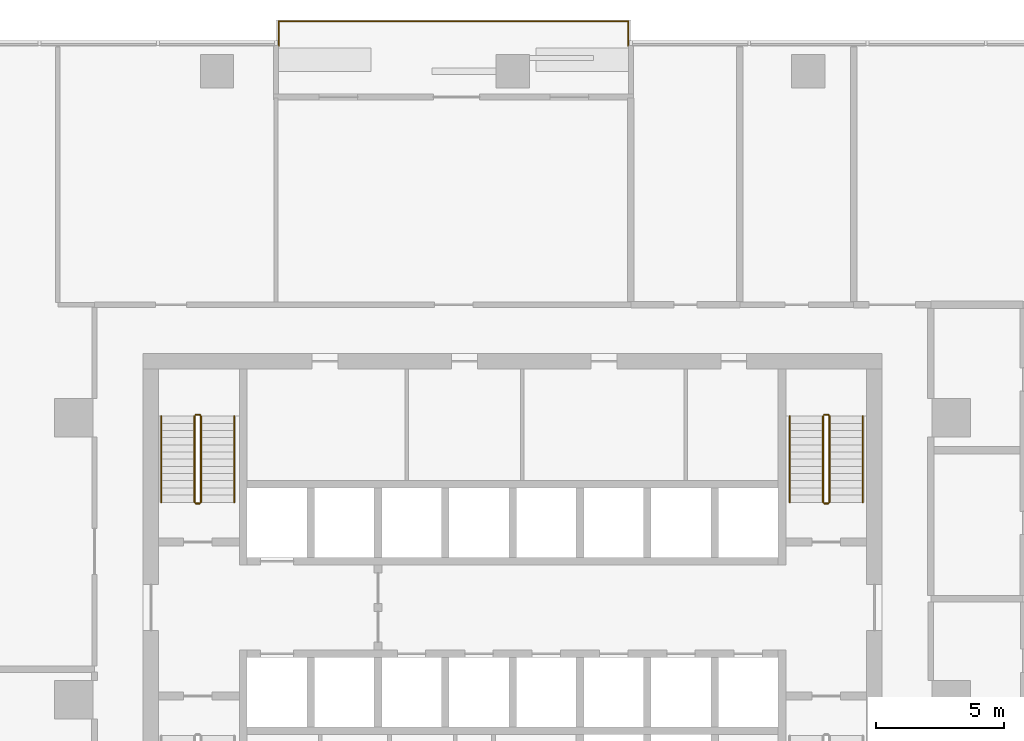
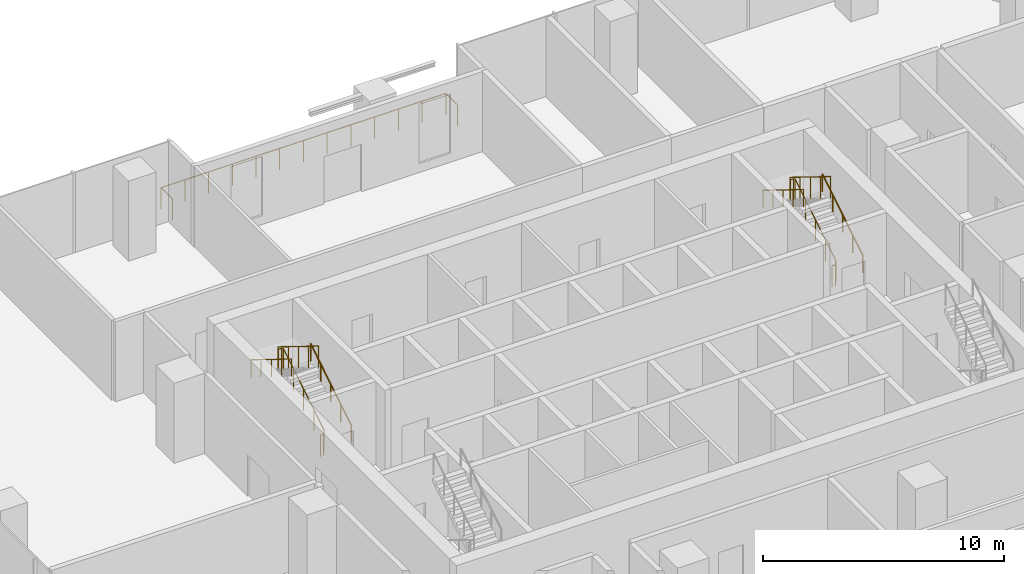
# One storey, part 14 of 14: 11 railings.
"""IFC4 building model written with IfcOpenShell, lengths in metres."""

from ifc_helpers import new_model, si_unit, direction, frame, origin, origin_2d, place, context, subcontext, project, spatial, circle, extrude, material, type_object, element, save


model = new_model("IFC4")

# Units and contexts
model_context = context("Model", 3, precision=1e-05, world=origin(), true_north=direction((0.0, 1.0)))
body_context = subcontext(model_context, "Body", "Model", "MODEL_VIEW")
ifc_project = project(units=[si_unit("LENGTHUNIT", "METRE"), si_unit("AREAUNIT", "SQUARE_METRE"), si_unit("VOLUMEUNIT", "CUBIC_METRE"), si_unit("PLANEANGLEUNIT", "RADIAN"), si_unit("MASSUNIT", "GRAM", prefix="KILO")], contexts=[model_context])

# Site, building, storey
site_placement = place(None, origin())
site = spatial("IfcSite", under=ifc_project, at=site_placement, CompositionType="ELEMENT")
building_placement = place(site_placement, origin())
building = spatial("IfcBuilding", under=site, at=building_placement, Name="Mopane Tessera Tower", CompositionType="ELEMENT")
storey_placement = place(building_placement, frame((0.0, 0.0, 130.60009765625)))
storey = spatial("IfcBuildingStorey", under=building, at=storey_placement, Name="L26", CompositionType="ELEMENT", Elevation=130.60009765625)

# Railings
ifc_material_1 = material(Name="Powder-coated steel balustrade", Category="steel")
railing_type_1 = type_object("IfcRailingType", Name="Escape stair guard 1100 mm", PredefinedType="GUARDRAIL", material=ifc_material_1)
railing_1_placement = place(storey_placement, frame((-12.14990234375, 7.699951171875, 0.173095703125)))
element("IfcRailing", 1, at=railing_1_placement, inside=storey, type_object=railing_type_1, Name="L26 ST2 stair guard 1", PredefinedType="GUARDRAIL", context=body_context, shape_type="SweptSolid", body=[
    extrude(circle(Radius=0.02392578125, at=origin_2d()), frame((0.0, 0.0, 1.076171875), z_axis=(0.0, 0.850623216509, 0.525775754039), x_axis=(-1.0, 0.0, 0.0)), (0.0, 0.0, 1.0), 3.9501953125),
    extrude(circle(Radius=0.02392578125, at=origin_2d()), frame((0.0, 3.360107421875, 3.15283203125), z_axis=(-0.707106781187, 0.707106781187, 0.0), x_axis=(-0.707106781187, -0.707106781187, 0.0)), (0.0, 0.0, 1.0), 0.07080078125),
    extrude(circle(Radius=0.02392578125, at=origin_2d()), frame((-0.050048828125, 3.41015625, 3.15283203125), z_axis=(-1.0, 0.0, 0.0), x_axis=(0.0, -1.0, 0.0)), (0.0, 0.0, 1.0), 0.150146484375),
    extrude(circle(Radius=0.02099609375, at=origin_2d()), origin(), (0.0, 0.0, 1.0), 1.052001953125),
    extrude(circle(Radius=0.02099609375, at=origin_2d()), frame((0.0, 0.840087890625, 0.519287109375)), (0.0, 0.0, 1.0), 1.052001953125),
    extrude(circle(Radius=0.02099609375, at=origin_2d()), frame((0.0, 1.68017578125, 1.03857421875)), (0.0, 0.0, 1.0), 1.052001953125),
    extrude(circle(Radius=0.02099609375, at=origin_2d()), frame((0.0, 2.52001953125, 1.5576171875)), (0.0, 0.0, 1.0), 1.052001953125),
    extrude(circle(Radius=0.02099609375, at=origin_2d()), frame((0.0, 3.360107421875, 2.076904296875)), (0.0, 0.0, 1.0), 1.052001953125),
    extrude(circle(Radius=0.02099609375, at=origin_2d()), frame((-0.050048828125, 3.41015625, 2.076904296875)), (0.0, 0.0, 1.0), 1.052001953125),
    extrude(circle(Radius=0.02099609375, at=origin_2d()), frame((-0.2001953125, 3.41015625, 2.076904296875)), (0.0, 0.0, 1.0), 1.052001953125),
])
railing_2_placement = place(storey_placement, frame((-12.39990234375, 11.06005859375, 2.423095703125)))
element("IfcRailing", 2, at=railing_2_placement, inside=storey, type_object=railing_type_1, Name="L26 ST2 stair guard 2", PredefinedType="GUARDRAIL", context=body_context, shape_type="SweptSolid", body=[
    extrude(circle(Radius=0.02392578125, at=origin_2d()), frame((0.0, 0.0, 1.076171875), z_axis=(0.0, -0.850623216509, 0.525775754039), x_axis=(1.0, 0.0, 0.0)), (0.0, 0.0, 1.0), 3.9501953125),
    extrude(circle(Radius=0.02099609375, at=origin_2d()), origin(), (0.0, 0.0, 1.0), 1.052001953125),
    extrude(circle(Radius=0.02099609375, at=origin_2d()), frame((0.0, -0.840087890625, 0.519287109375)), (0.0, 0.0, 1.0), 1.052001953125),
    extrude(circle(Radius=0.02099609375, at=origin_2d()), frame((0.0, -1.68017578125, 1.03857421875)), (0.0, 0.0, 1.0), 1.052001953125),
    extrude(circle(Radius=0.02099609375, at=origin_2d()), frame((0.0, -2.52001953125, 1.5576171875)), (0.0, 0.0, 1.0), 1.052001953125),
    extrude(circle(Radius=0.02099609375, at=origin_2d()), frame((0.0, -3.360107421875, 2.076904296875)), (0.0, 0.0, 1.0), 1.052001953125),
])
railing_3_placement = place(storey_placement, frame((-12.199951171875, 7.64990234375, 0.0)))
element("IfcRailing", 3, at=railing_3_placement, inside=storey, type_object=railing_type_1, Name="L26 ST2 stair guard 3", PredefinedType="GUARDRAIL", context=body_context, shape_type="SweptSolid", body=[
    extrude(circle(Radius=0.02392578125, at=origin_2d()), frame((0.0, 0.0, 1.076171875), z_axis=(-1.0, 0.0, 0.0), x_axis=(0.0, -1.0, 0.0)), (0.0, 0.0, 1.0), 0.150146484375),
    extrude(circle(Radius=0.02099609375, at=origin_2d()), origin(), (0.0, 0.0, 1.0), 1.052001953125),
    extrude(circle(Radius=0.02099609375, at=origin_2d()), frame((-0.150146484375, 0.0, 0.0)), (0.0, 0.0, 1.0), 1.052001953125),
])
railing_4_placement = place(storey_placement, frame((12.35009765625, 7.699951171875, 0.173095703125)))
element("IfcRailing", 4, at=railing_4_placement, inside=storey, type_object=railing_type_1, Name="L26 ST4 stair guard 1", PredefinedType="GUARDRAIL", context=body_context, shape_type="SweptSolid", body=[
    extrude(circle(Radius=0.02392578125, at=origin_2d()), frame((0.0, 0.0, 1.076171875), z_axis=(0.0, 0.850623216509, 0.525775754039), x_axis=(-1.0, 0.0, 0.0)), (0.0, 0.0, 1.0), 3.9501953125),
    extrude(circle(Radius=0.02392578125, at=origin_2d()), frame((0.0, 3.360107421875, 3.15283203125), z_axis=(-0.707106781187, 0.707106781187, 0.0), x_axis=(-0.707106781187, -0.707106781187, 0.0)), (0.0, 0.0, 1.0), 0.07080078125),
    extrude(circle(Radius=0.02392578125, at=origin_2d()), frame((-0.050048828125, 3.41015625, 3.15283203125), z_axis=(-1.0, 0.0, 0.0), x_axis=(0.0, -1.0, 0.0)), (0.0, 0.0, 1.0), 0.150146484375),
    extrude(circle(Radius=0.02099609375, at=origin_2d()), origin(), (0.0, 0.0, 1.0), 1.052001953125),
    extrude(circle(Radius=0.02099609375, at=origin_2d()), frame((0.0, 0.840087890625, 0.519287109375)), (0.0, 0.0, 1.0), 1.052001953125),
    extrude(circle(Radius=0.02099609375, at=origin_2d()), frame((0.0, 1.68017578125, 1.03857421875)), (0.0, 0.0, 1.0), 1.052001953125),
    extrude(circle(Radius=0.02099609375, at=origin_2d()), frame((0.0, 2.52001953125, 1.5576171875)), (0.0, 0.0, 1.0), 1.052001953125),
    extrude(circle(Radius=0.02099609375, at=origin_2d()), frame((0.0, 3.360107421875, 2.076904296875)), (0.0, 0.0, 1.0), 1.052001953125),
    extrude(circle(Radius=0.02099609375, at=origin_2d()), frame((-0.050048828125, 3.41015625, 2.076904296875)), (0.0, 0.0, 1.0), 1.052001953125),
    extrude(circle(Radius=0.02099609375, at=origin_2d()), frame((-0.2001953125, 3.41015625, 2.076904296875)), (0.0, 0.0, 1.0), 1.052001953125),
])
railing_5_placement = place(storey_placement, frame((12.10009765625, 11.06005859375, 2.423095703125)))
element("IfcRailing", 5, at=railing_5_placement, inside=storey, type_object=railing_type_1, Name="L26 ST4 stair guard 2", PredefinedType="GUARDRAIL", context=body_context, shape_type="SweptSolid", body=[
    extrude(circle(Radius=0.02392578125, at=origin_2d()), frame((0.0, 0.0, 1.076171875), z_axis=(0.0, -0.850623216509, 0.525775754039), x_axis=(1.0, 0.0, 0.0)), (0.0, 0.0, 1.0), 3.9501953125),
    extrude(circle(Radius=0.02099609375, at=origin_2d()), origin(), (0.0, 0.0, 1.0), 1.052001953125),
    extrude(circle(Radius=0.02099609375, at=origin_2d()), frame((0.0, -0.840087890625, 0.519287109375)), (0.0, 0.0, 1.0), 1.052001953125),
    extrude(circle(Radius=0.02099609375, at=origin_2d()), frame((0.0, -1.68017578125, 1.03857421875)), (0.0, 0.0, 1.0), 1.052001953125),
    extrude(circle(Radius=0.02099609375, at=origin_2d()), frame((0.0, -2.52001953125, 1.5576171875)), (0.0, 0.0, 1.0), 1.052001953125),
    extrude(circle(Radius=0.02099609375, at=origin_2d()), frame((0.0, -3.360107421875, 2.076904296875)), (0.0, 0.0, 1.0), 1.052001953125),
])
railing_6_placement = place(storey_placement, frame((12.300048828125, 7.64990234375, 0.0)))
element("IfcRailing", 6, at=railing_6_placement, inside=storey, type_object=railing_type_1, Name="L26 ST4 stair guard 3", PredefinedType="GUARDRAIL", context=body_context, shape_type="SweptSolid", body=[
    extrude(circle(Radius=0.02392578125, at=origin_2d()), frame((0.0, 0.0, 1.076171875), z_axis=(-1.0, 0.0, 0.0), x_axis=(0.0, -1.0, 0.0)), (0.0, 0.0, 1.0), 0.150146484375),
    extrude(circle(Radius=0.02099609375, at=origin_2d()), origin(), (0.0, 0.0, 1.0), 1.052001953125),
    extrude(circle(Radius=0.02099609375, at=origin_2d()), frame((-0.150146484375, 0.0, 0.0)), (0.0, 0.0, 1.0), 1.052001953125),
])
ifc_material_2 = material(Name="Powder-coated steel balustrade", Category="steel")
railing_type_2 = type_object("IfcRailingType", Name="Escape stair handrail 900 mm", PredefinedType="HANDRAIL", material=ifc_material_2)
railing_7_placement = place(storey_placement, frame((-10.85009765625, 7.699951171875, 0.173095703125)))
element("IfcRailing", 7, at=railing_7_placement, inside=storey, type_object=railing_type_2, Name="L26 ST2 stair handrail 1", PredefinedType="HANDRAIL", context=body_context, shape_type="SweptSolid", body=[
    extrude(circle(Radius=0.02392578125, at=origin_2d()), frame((0.0, 0.0, 0.8759765625), z_axis=(0.0, 0.850623216509, 0.525775754039), x_axis=(-1.0, 0.0, 0.0)), (0.0, 0.0, 1.0), 3.9501953125),
    extrude(circle(Radius=0.02099609375, at=origin_2d()), origin(), (0.0, 0.0, 1.0), 0.851806640625),
    extrude(circle(Radius=0.02099609375, at=origin_2d()), frame((0.0, 0.840087890625, 0.519287109375)), (0.0, 0.0, 1.0), 0.851806640625),
    extrude(circle(Radius=0.02099609375, at=origin_2d()), frame((0.0, 1.68017578125, 1.03857421875)), (0.0, 0.0, 1.0), 0.851806640625),
    extrude(circle(Radius=0.02099609375, at=origin_2d()), frame((0.0, 2.52001953125, 1.5576171875)), (0.0, 0.0, 1.0), 0.851806640625),
    extrude(circle(Radius=0.02099609375, at=origin_2d()), frame((0.0, 3.360107421875, 2.076904296875)), (0.0, 0.0, 1.0), 0.851806640625),
])
railing_8_placement = place(storey_placement, frame((-13.699951171875, 11.06005859375, 2.423095703125)))
element("IfcRailing", 8, at=railing_8_placement, inside=storey, type_object=railing_type_2, Name="L26 ST2 stair handrail 2", PredefinedType="HANDRAIL", context=body_context, shape_type="SweptSolid", body=[
    extrude(circle(Radius=0.02392578125, at=origin_2d()), frame((0.0, 0.0, 0.8759765625), z_axis=(0.0, -0.850623216509, 0.525775754039), x_axis=(1.0, 0.0, 0.0)), (0.0, 0.0, 1.0), 3.9501953125),
    extrude(circle(Radius=0.02099609375, at=origin_2d()), origin(), (0.0, 0.0, 1.0), 0.851806640625),
    extrude(circle(Radius=0.02099609375, at=origin_2d()), frame((0.0, -0.840087890625, 0.519287109375)), (0.0, 0.0, 1.0), 0.851806640625),
    extrude(circle(Radius=0.02099609375, at=origin_2d()), frame((0.0, -1.68017578125, 1.03857421875)), (0.0, 0.0, 1.0), 0.851806640625),
    extrude(circle(Radius=0.02099609375, at=origin_2d()), frame((0.0, -2.52001953125, 1.5576171875)), (0.0, 0.0, 1.0), 0.851806640625),
    extrude(circle(Radius=0.02099609375, at=origin_2d()), frame((0.0, -3.360107421875, 2.076904296875)), (0.0, 0.0, 1.0), 0.851806640625),
])
railing_9_placement = place(storey_placement, frame((13.64990234375, 7.699951171875, 0.173095703125)))
element("IfcRailing", 9, at=railing_9_placement, inside=storey, type_object=railing_type_2, Name="L26 ST4 stair handrail 1", PredefinedType="HANDRAIL", context=body_context, shape_type="SweptSolid", body=[
    extrude(circle(Radius=0.02392578125, at=origin_2d()), frame((0.0, 0.0, 0.8759765625), z_axis=(0.0, 0.850623216509, 0.525775754039), x_axis=(-1.0, 0.0, 0.0)), (0.0, 0.0, 1.0), 3.9501953125),
    extrude(circle(Radius=0.02099609375, at=origin_2d()), origin(), (0.0, 0.0, 1.0), 0.851806640625),
    extrude(circle(Radius=0.02099609375, at=origin_2d()), frame((0.0, 0.840087890625, 0.519287109375)), (0.0, 0.0, 1.0), 0.851806640625),
    extrude(circle(Radius=0.02099609375, at=origin_2d()), frame((0.0, 1.68017578125, 1.03857421875)), (0.0, 0.0, 1.0), 0.851806640625),
    extrude(circle(Radius=0.02099609375, at=origin_2d()), frame((0.0, 2.52001953125, 1.5576171875)), (0.0, 0.0, 1.0), 0.851806640625),
    extrude(circle(Radius=0.02099609375, at=origin_2d()), frame((0.0, 3.360107421875, 2.076904296875)), (0.0, 0.0, 1.0), 0.851806640625),
])
railing_10_placement = place(storey_placement, frame((10.800048828125, 11.06005859375, 2.423095703125)))
element("IfcRailing", 10, at=railing_10_placement, inside=storey, type_object=railing_type_2, Name="L26 ST4 stair handrail 2", PredefinedType="HANDRAIL", context=body_context, shape_type="SweptSolid", body=[
    extrude(circle(Radius=0.02392578125, at=origin_2d()), frame((0.0, 0.0, 0.8759765625), z_axis=(0.0, -0.850623216509, 0.525775754039), x_axis=(1.0, 0.0, 0.0)), (0.0, 0.0, 1.0), 3.9501953125),
    extrude(circle(Radius=0.02099609375, at=origin_2d()), origin(), (0.0, 0.0, 1.0), 0.851806640625),
    extrude(circle(Radius=0.02099609375, at=origin_2d()), frame((0.0, -0.840087890625, 0.519287109375)), (0.0, 0.0, 1.0), 0.851806640625),
    extrude(circle(Radius=0.02099609375, at=origin_2d()), frame((0.0, -1.68017578125, 1.03857421875)), (0.0, 0.0, 1.0), 0.851806640625),
    extrude(circle(Radius=0.02099609375, at=origin_2d()), frame((0.0, -2.52001953125, 1.5576171875)), (0.0, 0.0, 1.0), 0.851806640625),
    extrude(circle(Radius=0.02099609375, at=origin_2d()), frame((0.0, -3.360107421875, 2.076904296875)), (0.0, 0.0, 1.0), 0.851806640625),
])
ifc_material_3 = material(Name="Stainless steel S316", Category="steel")
railing_type_3 = type_object("IfcRailingType", Name="Terrace guard 1100", PredefinedType="GUARDRAIL", material=ifc_material_3)
railing_11_placement = place(storey_placement, frame((4.510009765625, 25.5, 0.0)))
element("IfcRailing", 11, at=railing_11_placement, inside=storey, type_object=railing_type_3, Name="e:nw:L26:N1:guard", PredefinedType="GUARDRAIL", context=body_context, shape_type="SweptSolid", body=[
    extrude(circle(Radius=0.02392578125, at=origin_2d()), frame((0.0, 0.0, 1.076171875), z_axis=(0.0, 1.0, 0.0), x_axis=(-1.0, 0.0, 0.0)), (0.0, 0.0, 1.0), 0.949951171875),
    extrude(circle(Radius=0.02392578125, at=origin_2d()), frame((0.0, 0.949951171875, 1.076171875), z_axis=(-1.0, 0.0, 0.0), x_axis=(0.0, -1.0, 0.0)), (0.0, 0.0, 1.0), 13.630126953125),
    extrude(circle(Radius=0.02392578125, at=origin_2d()), frame((-13.630126953125, 0.949951171875, 1.076171875), z_axis=(0.0, -1.0, 0.0), x_axis=(1.0, 0.0, 0.0)), (0.0, 0.0, 1.0), 0.949951171875),
    extrude(circle(Radius=0.02099609375, at=origin_2d()), origin(), (0.0, 0.0, 1.0), 1.052001953125),
    extrude(circle(Radius=0.02099609375, at=origin_2d()), frame((0.0, 0.949951171875, 0.0)), (0.0, 0.0, 1.0), 1.052001953125),
    extrude(circle(Radius=0.02099609375, at=origin_2d()), frame((-1.1357421875, 0.949951171875, 0.0)), (0.0, 0.0, 1.0), 1.052001953125),
    extrude(circle(Radius=0.02099609375, at=origin_2d()), frame((-2.271728515625, 0.949951171875, 0.0)), (0.0, 0.0, 1.0), 1.052001953125),
    extrude(circle(Radius=0.02099609375, at=origin_2d()), frame((-3.407470703125, 0.949951171875, 0.0)), (0.0, 0.0, 1.0), 1.052001953125),
    extrude(circle(Radius=0.02099609375, at=origin_2d()), frame((-4.54345703125, 0.949951171875, 0.0)), (0.0, 0.0, 1.0), 1.052001953125),
    extrude(circle(Radius=0.02099609375, at=origin_2d()), frame((-5.67919921875, 0.949951171875, 0.0)), (0.0, 0.0, 1.0), 1.052001953125),
    extrude(circle(Radius=0.02099609375, at=origin_2d()), frame((-6.81494140625, 0.949951171875, 0.0)), (0.0, 0.0, 1.0), 1.052001953125),
    extrude(circle(Radius=0.02099609375, at=origin_2d()), frame((-7.950927734375, 0.949951171875, 0.0)), (0.0, 0.0, 1.0), 1.052001953125),
    extrude(circle(Radius=0.02099609375, at=origin_2d()), frame((-9.086669921875, 0.949951171875, 0.0)), (0.0, 0.0, 1.0), 1.052001953125),
    extrude(circle(Radius=0.02099609375, at=origin_2d()), frame((-10.22265625, 0.949951171875, 0.0)), (0.0, 0.0, 1.0), 1.052001953125),
    extrude(circle(Radius=0.02099609375, at=origin_2d()), frame((-11.3583984375, 0.949951171875, 0.0)), (0.0, 0.0, 1.0), 1.052001953125),
    extrude(circle(Radius=0.02099609375, at=origin_2d()), frame((-12.494384765625, 0.949951171875, 0.0)), (0.0, 0.0, 1.0), 1.052001953125),
    extrude(circle(Radius=0.02099609375, at=origin_2d()), frame((-13.630126953125, 0.949951171875, 0.0)), (0.0, 0.0, 1.0), 1.052001953125),
    extrude(circle(Radius=0.02099609375, at=origin_2d()), frame((-13.630126953125, 0.0, 0.0)), (0.0, 0.0, 1.0), 1.052001953125),
])

save(model, "model.ifc")
